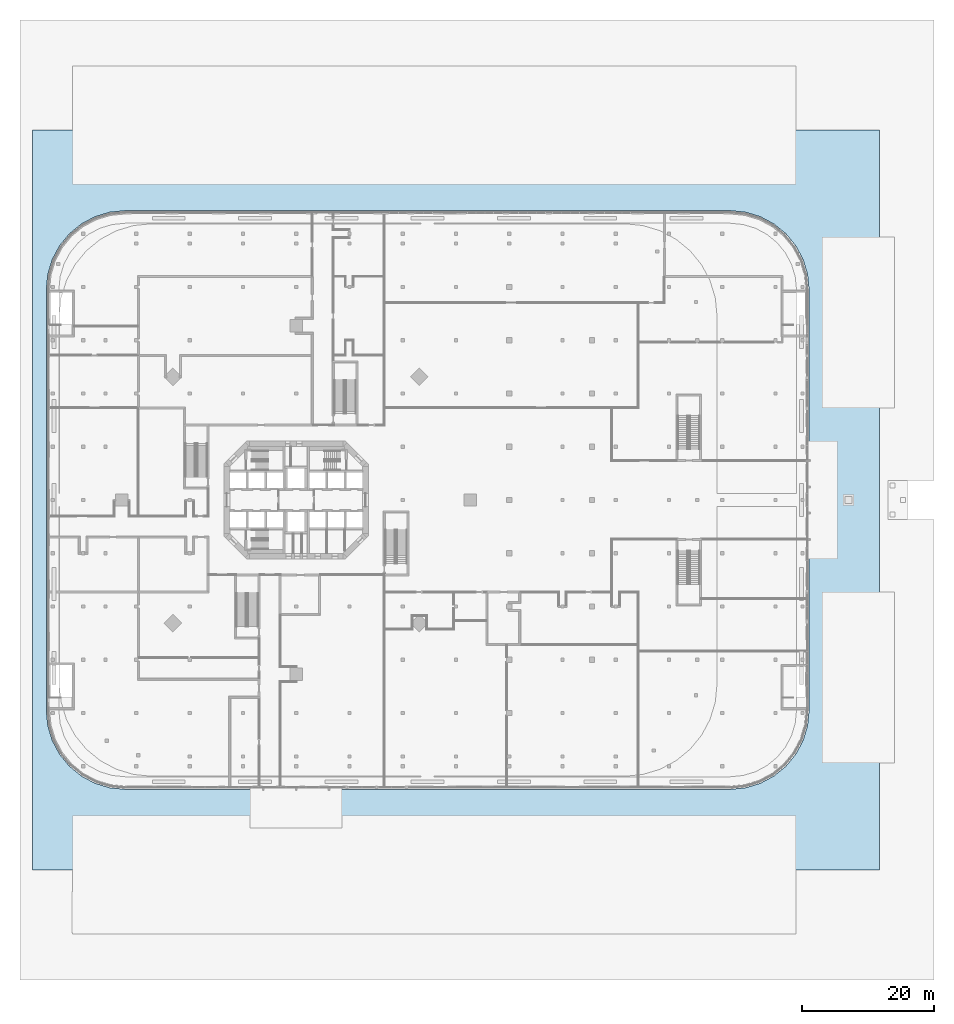
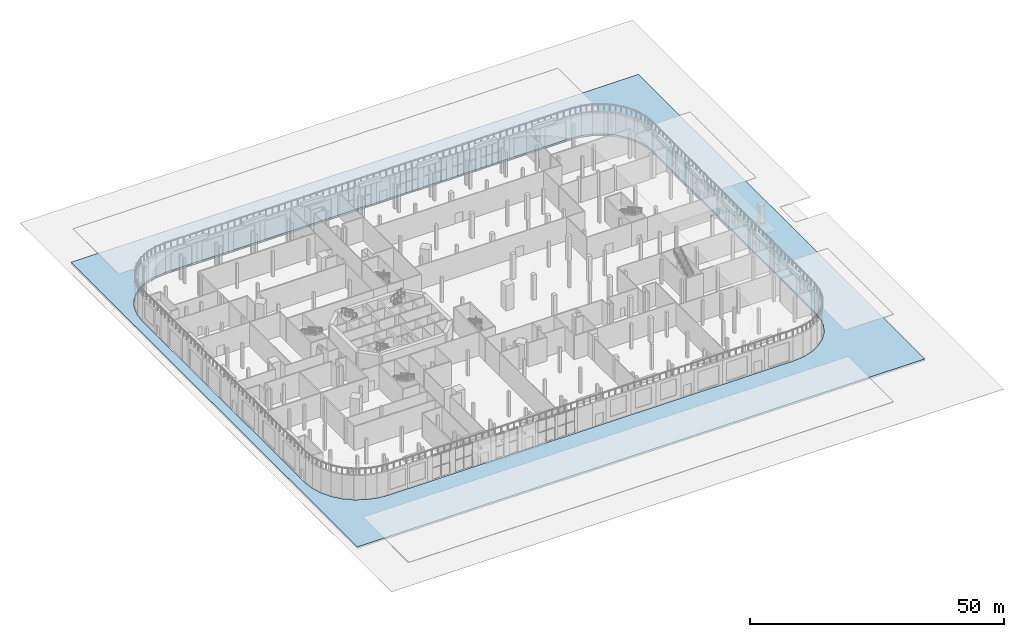
# One storey, part 8 of 32: 1 slab.
"""IFC4 building model written with IfcOpenShell, lengths in metres."""

from ifc_helpers import new_model, si_unit, direction, frame, origin, place, context, subcontext, project, spatial, polyline, outline, extrude, material, layer, layer_set, type_object, element, save


model = new_model("IFC4")

# Units and contexts
model_context = context("Model", 3, precision=1e-05, world=origin(), true_north=direction((0.0, 1.0)))
body_context = subcontext(model_context, "Body", "Model", "MODEL_VIEW")
ifc_project = project(units=[si_unit("LENGTHUNIT", "METRE"), si_unit("AREAUNIT", "SQUARE_METRE"), si_unit("VOLUMEUNIT", "CUBIC_METRE"), si_unit("PLANEANGLEUNIT", "RADIAN"), si_unit("MASSUNIT", "GRAM", prefix="KILO")], contexts=[model_context])

# Site, building, storey
site_placement = place(None, origin())
site = spatial("IfcSite", under=ifc_project, at=site_placement, CompositionType="ELEMENT")
building_placement = place(site_placement, origin())
building = spatial("IfcBuilding", under=site, at=building_placement, Name="Torre Triforio", CompositionType="ELEMENT")
storey_placement = place(building_placement, origin())
storey = spatial("IfcBuildingStorey", under=building, at=storey_placement, Name="L00", CompositionType="ELEMENT", Elevation=0.0)

# Slab
ifc_material = material(Name="Concrete C50", Category="concrete")
ifc_layer = layer(ifc_material, 0.449951171875)
ifc_layer_set = layer_set([ifc_layer], Name="Concrete C50")
slab_type = type_object("IfcSlabType", Name="Garden deck 450 C50", PredefinedType="FLOOR", material=ifc_layer_set)
slab_placement = place(storey_placement, frame((0.0, 0.0, -0.449951171875)))
element("IfcSlab", 1, at=slab_placement, inside=storey, type_object=slab_type, Name="SL.DECK", PredefinedType="FLOOR", context=body_context, shape_type="SweptSolid", body=[
    extrude(outline(polyline([(88.699951171875, 56.300048828125), (-40.10009765625, 56.300048828125), (-40.10009765625, -56.300048828125), (88.699951171875, -56.300048828125), (88.699951171875, 56.300048828125)]), holes=[polyline([(70.59228515625, -43.086669921875), (68.341064453125, -43.76953125), (66.0, -44.0), (-26.0, -44.0), (-28.341064453125, -43.76953125), (-30.59228515625, -43.086669921875), (-32.666748046875, -41.9775390625), (-34.4853515625, -40.4853515625), (-35.9775390625, -38.666748046875), (-37.086669921875, -36.59228515625), (-37.76953125, -34.341064453125), (-38.0, -32.0), (-38.0, 32.0), (-37.76953125, 34.341064453125), (-37.086669921875, 36.59228515625), (-35.9775390625, 38.666748046875), (-34.4853515625, 40.4853515625), (-32.666748046875, 41.9775390625), (-30.59228515625, 43.086669921875), (-28.341064453125, 43.76953125), (-26.0, 44.0), (66.0, 44.0), (68.341064453125, 43.76953125), (70.59228515625, 43.086669921875), (72.666748046875, 41.9775390625), (74.4853515625, 40.4853515625), (75.9775390625, 38.666748046875), (77.086669921875, 36.59228515625), (77.76953125, 34.341064453125), (78.0, 32.0), (78.0, -32.0), (77.76953125, -34.341064453125), (77.086669921875, -36.59228515625), (75.9775390625, -38.666748046875), (74.4853515625, -40.4853515625), (72.666748046875, -41.9775390625), (70.59228515625, -43.086669921875)])]), origin(), (0.0, 0.0, 1.0), 0.449951171875),
])

save(model, "model.ifc")
